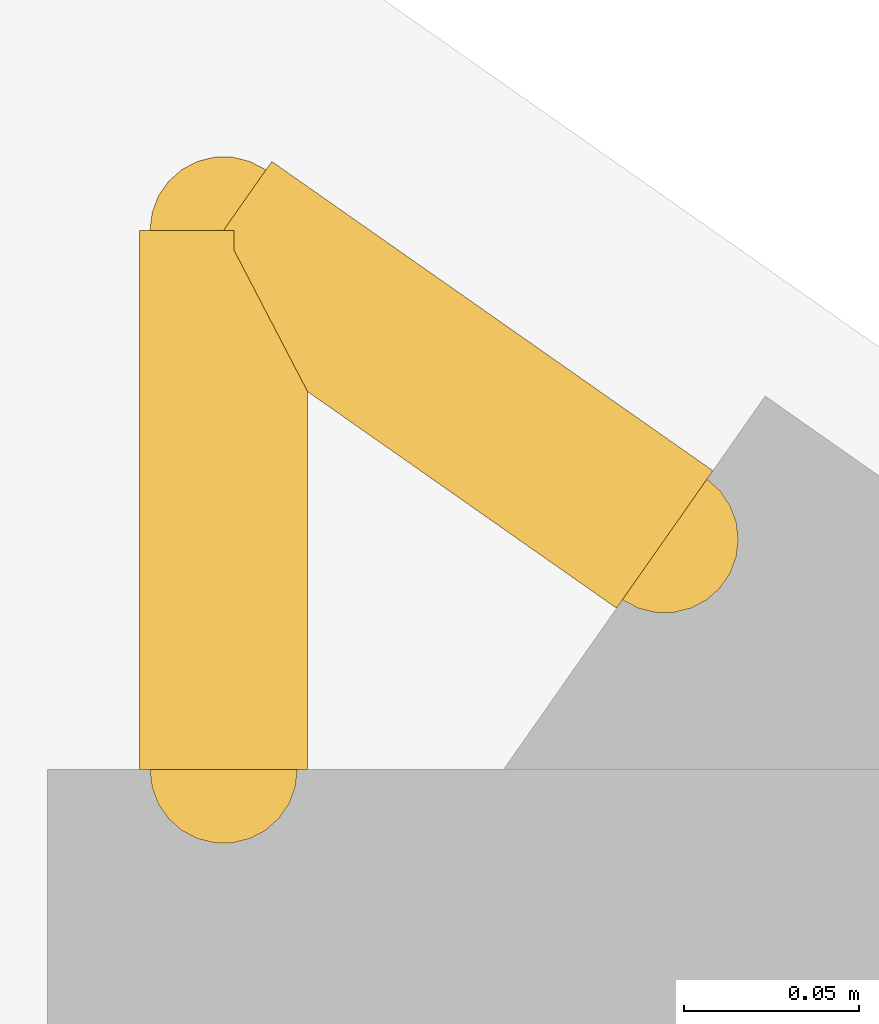
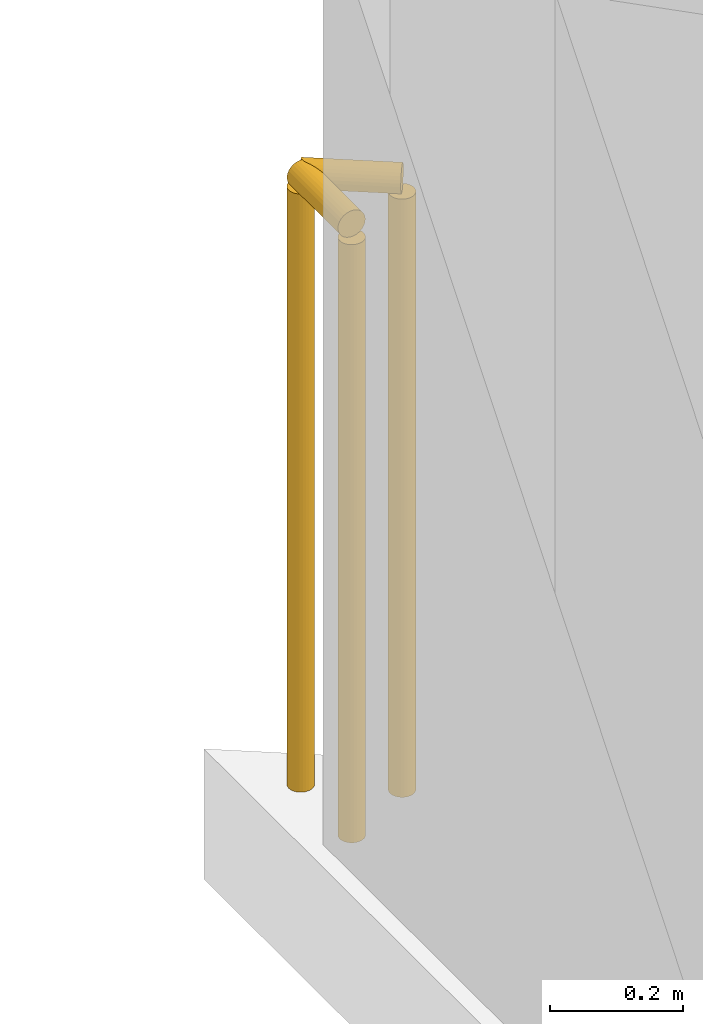
# One storey, part 17 of 17: 2 railings.
"""IFC4 building model written with IfcOpenShell, lengths in metres."""

from ifc_helpers import new_model, si_unit, direction, frame, origin, origin_2d, place, context, subcontext, project, spatial, circle, extrude, material, type_object, element, save


model = new_model("IFC4")

# Units and contexts
model_context = context("Model", 3, precision=1e-05, world=origin(), true_north=direction((0.0, 1.0)))
body_context = subcontext(model_context, "Body", "Model", "MODEL_VIEW")
ifc_project = project(units=[si_unit("LENGTHUNIT", "METRE"), si_unit("AREAUNIT", "SQUARE_METRE"), si_unit("VOLUMEUNIT", "CUBIC_METRE"), si_unit("PLANEANGLEUNIT", "RADIAN"), si_unit("MASSUNIT", "GRAM", prefix="KILO")], contexts=[model_context])

# Site, building, storey
site_placement = place(None, origin())
site = spatial("IfcSite", under=ifc_project, at=site_placement, CompositionType="ELEMENT")
building_placement = place(site_placement, origin())
building = spatial("IfcBuilding", under=site, at=building_placement, Name="Varnakote Quay Hospital", CompositionType="ELEMENT")
storey_placement = place(building_placement, frame((0.0, 0.0, 227.64990234375)))
storey = spatial("IfcBuildingStorey", under=building, at=storey_placement, Name="L56", CompositionType="ELEMENT", Elevation=227.64990234375)

# Railings
ifc_material = material(Name="Anodised aluminium 6063-T6 Bronze", Category="aluminium")
railing_type = type_object("IfcRailingType", Name="RLG-EXT-GUARD-1150", PredefinedType="GUARDRAIL", material=ifc_material)
railing_1_placement = place(storey_placement, frame((2.580078125, 42.492431640625, 0.0)))
element("IfcRailing", 1, at=railing_1_placement, inside=storey, type_object=railing_type, Name="L56 Slab Edge Perimeter Safety Guard", PredefinedType="GUARDRAIL", context=body_context, shape_type="SweptSolid", body=[
    extrude(circle(Radius=0.02392578125, at=origin_2d()), frame((0.0, 0.0, 1.1259765625), z_axis=(0.0, 1.0, 0.0), x_axis=(-1.0, 0.0, 0.0)), (0.0, 0.0, 1.0), 0.15380859375),
    extrude(circle(Radius=0.02099609375, at=origin_2d()), origin(), (0.0, 0.0, 1.0), 1.101806640625),
    extrude(circle(Radius=0.02099609375, at=origin_2d()), frame((0.0, 0.15380859375, 0.0)), (0.0, 0.0, 1.0), 1.101806640625),
])
railing_2_placement = place(storey_placement, frame((2.580078125, 42.646240234375, 0.0)))
element("IfcRailing", 2, at=railing_2_placement, inside=storey, type_object=railing_type, Name="L56 Slab Edge Perimeter Safety Guard", PredefinedType="GUARDRAIL", context=body_context, shape_type="SweptSolid", body=[
    extrude(circle(Radius=0.02392578125, at=origin_2d()), frame((0.0, 0.0, 1.1259765625), z_axis=(0.818858253068, -0.57399578516, 0.0), x_axis=(0.57399578516, 0.818858253068, 0.0)), (0.0, 0.0, 1.0), 0.153564453125),
    extrude(circle(Radius=0.02099609375, at=origin_2d()), origin(), (0.0, 0.0, 1.0), 1.101806640625),
    extrude(circle(Radius=0.02099609375, at=origin_2d()), frame((0.125732421875, -0.088134765625, 0.0)), (0.0, 0.0, 1.0), 1.101806640625),
])

save(model, "model.ifc")
